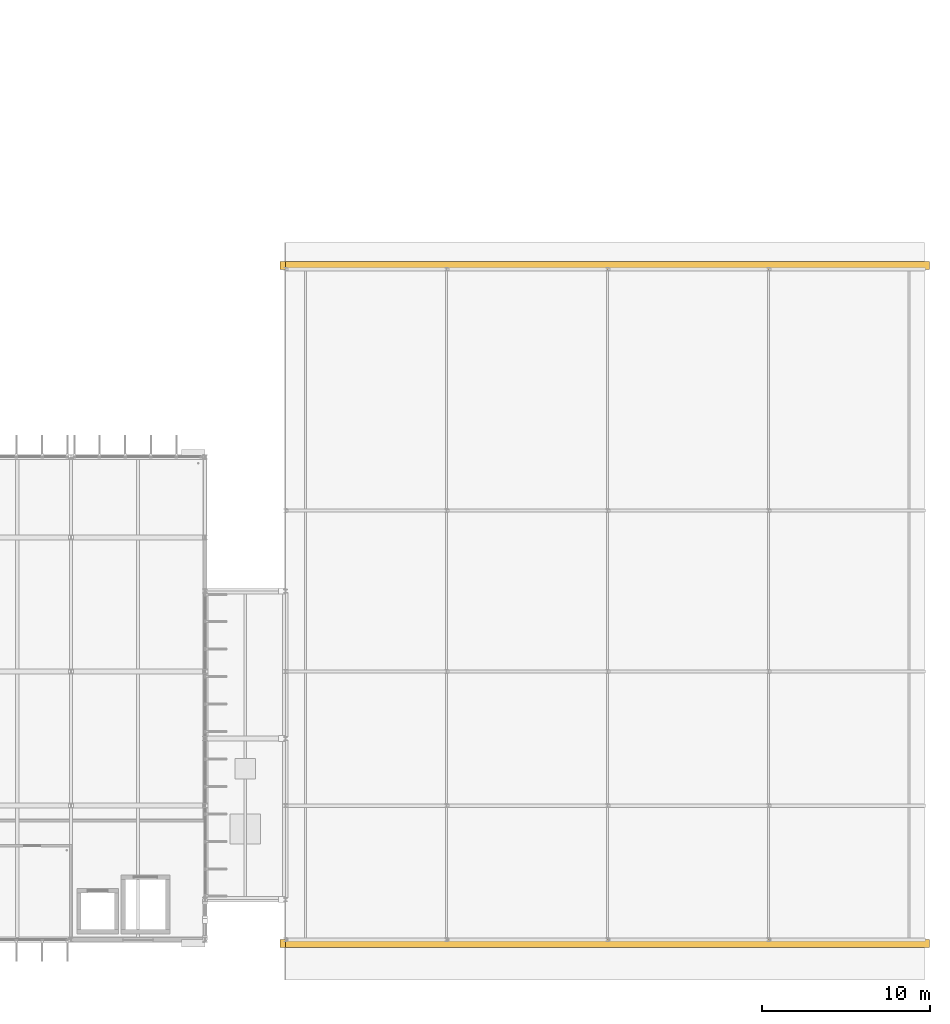
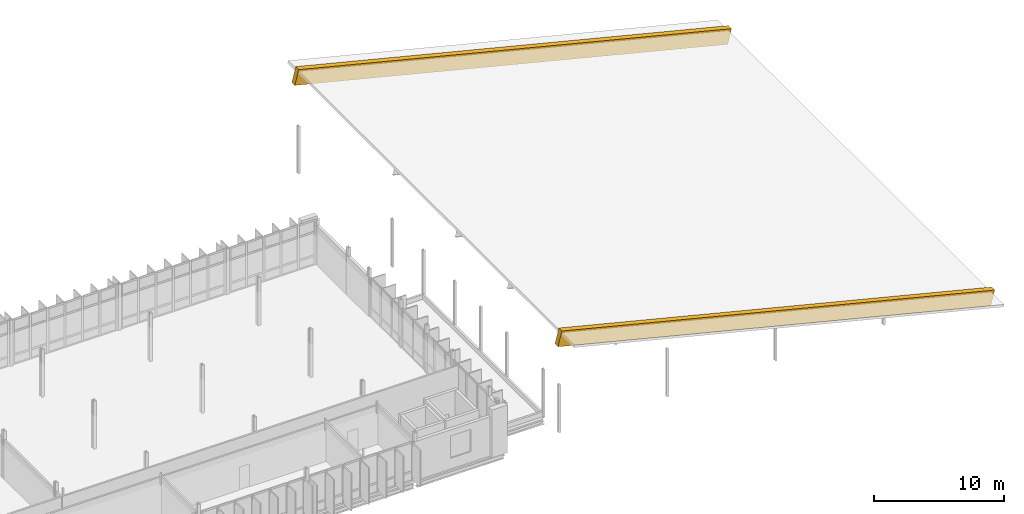
# One storey, part 93 of 93: 2 coverings.
"""IFC4 building model written with IfcOpenShell, lengths in metres."""

from ifc_helpers import new_model, si_unit, direction, frame, origin, place, context, subcontext, project, spatial, polyline, outline, extrude, material, layer, layer_set, type_object, element, save


model = new_model("IFC4")

# Units and contexts
model_context = context("Model", 3, precision=1e-05, world=origin(), true_north=direction((0.0, 1.0)))
body_context = subcontext(model_context, "Body", "Model", "MODEL_VIEW")
ifc_project = project(units=[si_unit("LENGTHUNIT", "METRE"), si_unit("AREAUNIT", "SQUARE_METRE"), si_unit("VOLUMEUNIT", "CUBIC_METRE"), si_unit("PLANEANGLEUNIT", "RADIAN"), si_unit("MASSUNIT", "GRAM", prefix="KILO")], contexts=[model_context])

# Site, building, storey
site_placement = place(None, origin())
site = spatial("IfcSite", under=ifc_project, at=site_placement, CompositionType="ELEMENT")
building_placement = place(site_placement, origin())
building = spatial("IfcBuilding", under=site, at=building_placement, Name="Dunescarp Central Library", CompositionType="ELEMENT")
storey_placement = place(building_placement, frame((0.0, 0.0, 14.10009765625)))
storey = spatial("IfcBuildingStorey", under=building, at=storey_placement, Name="L03", CompositionType="ELEMENT", Elevation=14.10009765625)

# Coverings
ifc_material = material(Name="Glass-fibre reinforced concrete GRC", Category="concrete")
ifc_layer = layer(ifc_material, 0.449951171875)
ifc_layer_set = layer_set([ifc_layer], Name="Glass-fibre reinforced concrete GRC")
covering_type = type_object("IfcCoveringType", Name="ARC-COV-PORTAL", PredefinedType="CLADDING", material=ifc_layer_set)
for number, where, z_axis, x_axis, name in (
    (1, (129.60009765625, 4.35009765625, 9.739990234375), (0.242538527629, 0.0, 0.970141774493), (0.970141774493, 0.0, -0.242538527629), "V5 sculpted GRC raking portal band PRT-BAND-V5-061"),
    (2, (129.60009765625, 44.780029296875, 9.739990234375), (0.242538527629, 0.0, 0.970141774493), (0.970141774493, 0.0, -0.242538527629), "V5 sculpted GRC raking portal band PRT-BAND-V5-062"),
):
    element("IfcCovering", number, at=place(storey_placement, frame(where, z_axis=z_axis, x_axis=x_axis)), inside=storey, type_object=covering_type, Name=name, PredefinedType="CLADDING", context=body_context, shape_type="SweptSolid", body=[
        extrude(outline(polyline([(0.0, 0.0), (39.58174295074781, 0.0), (39.58174295074781, 0.469970703125), (0.0, 0.469970703125), (0.0, 0.0)])), origin(), (0.0, 0.0, -1.0), 1.39990234375),
    ])

save(model, "model.ifc")
